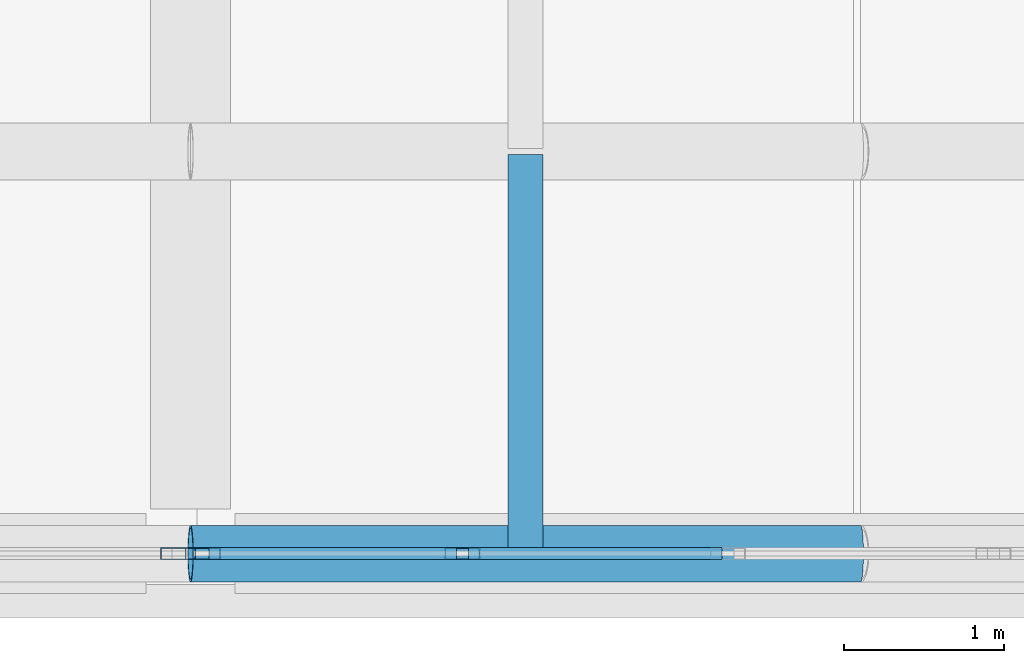
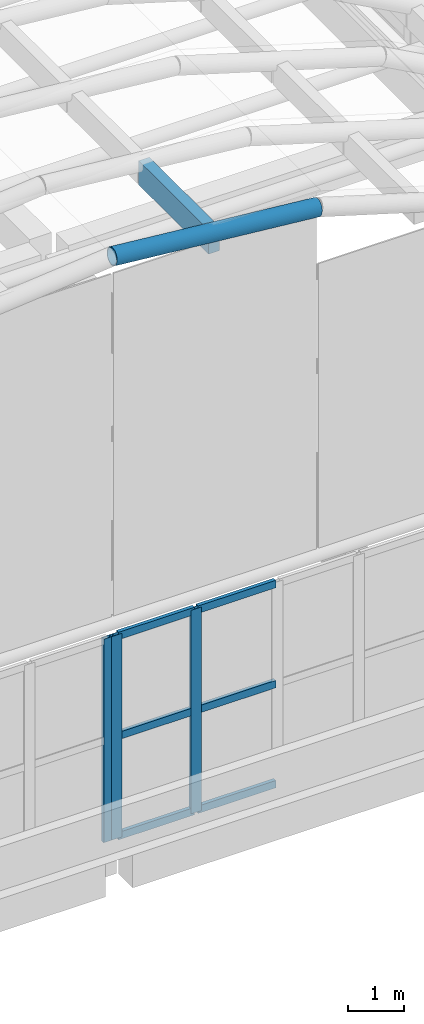
# One storey, part 7 of 26: 10 members, 1 beam, 2 elements without a shape of their own.
"""IFC4 building model written with IfcOpenShell, lengths in metres."""

import ifcopenshell
import ifcopenshell.guid

model = None  # the IFC model being written
_history = None  # IfcOwnerHistory: only IFC2X3 demands one
_inside = {}  # id of a spatial element -> (the spatial element, [elements in it])
_under = {}  # id of a project, library or spatial element -> (it, [spatial elements below it])
_declared = {}  # id of a project -> (the project, [libraries it declares])
_typed = {}  # id of a type object -> (the type object, [elements of that type])
_made_of = {}  # id of a material, layer set ... -> (it, [elements and type objects made of it])


def new_model(schema):
    """Start an empty IFC model of exactly this schema.

    Asked for "IFC4X3", IfcOpenShell would pick the latest addendum, in which some entities
    have other attributes; the version numbers below select the first issue.
    IFC2X3 requires an IfcOwnerHistory on every rooted entity: one is made here for all.
    """
    global model, _history
    if schema == "IFC4X3":
        model = ifcopenshell.file(schema_version=(4, 3, 0, 0))
    else:
        model = ifcopenshell.file(schema=schema)
    _inside.clear()
    _under.clear()
    _declared.clear()
    _typed.clear()
    _made_of.clear()
    _history = None
    if model.schema == "IFC2X3":
        org = make("IfcOrganization", Name="unknown")
        user = make(
            "IfcPersonAndOrganization",
            ThePerson=make("IfcPerson", FamilyName="unknown"),
            TheOrganization=org,
        )
        app = make(
            "IfcApplication",
            ApplicationDeveloper=org,
            Version="unknown",
            ApplicationFullName="unknown",
            ApplicationIdentifier="unknown",
        )
        _history = make(
            "IfcOwnerHistory",
            OwningUser=user,
            OwningApplication=app,
            ChangeAction="ADDED",
            CreationDate=0,
        )
    return model


def make(cls, **values):
    """One entity of the class cls with the attributes given. An attribute that is None is left unset."""
    return model.create_entity(
        cls, **{name: value for name, value in values.items() if value is not None}
    )


def rooted(cls, **values):
    """An entity with a GlobalId (a new one), such as an element, a storey or a relation."""
    return make(cls, GlobalId=ifcopenshell.guid.new(), OwnerHistory=_history, **values)


def si_unit(unit_type, name, prefix=None):
    """IfcSIUnit, for example si_unit("LENGTHUNIT", "METRE", prefix="MILLI")."""
    return make("IfcSIUnit", UnitType=unit_type, Prefix=prefix, Name=name)


def assignment(units):
    """IfcUnitAssignment: the units of a project."""
    return None if units is None else make("IfcUnitAssignment", Units=units)


def point(xyz):
    """IfcCartesianPoint."""
    return None if xyz is None else make("IfcCartesianPoint", Coordinates=xyz)


def direction(xyz):
    """IfcDirection."""
    return None if xyz is None else make("IfcDirection", DirectionRatios=xyz)


def frame(location, z_axis=None, x_axis=None):
    """IfcAxis2Placement3D, a coordinate frame: its origin and axes. An axis left out is left unset."""
    return make(
        "IfcAxis2Placement3D",
        Location=point(location),
        Axis=direction(z_axis),
        RefDirection=direction(x_axis),
    )


def frame_2d(location, x_axis=None):
    """IfcAxis2Placement2D, a coordinate frame in the plane: its origin and x axis."""
    return make(
        "IfcAxis2Placement2D", Location=point(location), RefDirection=direction(x_axis)
    )


def origin():
    """The frame at (0, 0, 0) with its axes left unset."""
    return frame((0.0, 0.0, 0.0))


def origin_2d():
    """The frame at (0, 0) in the plane with its x axis left unset."""
    return frame_2d((0.0, 0.0))


def place(relative_to, where):
    """IfcLocalPlacement: puts the frame where relative to a parent placement (None: the world)."""
    return make(
        "IfcLocalPlacement", PlacementRelTo=relative_to, RelativePlacement=where
    )


def context(
    kind, dimensions, precision=None, world=None, true_north=None, identifier=None
):
    """IfcGeometricRepresentationContext, for example the 3D "Model" context."""
    return make(
        "IfcGeometricRepresentationContext",
        ContextIdentifier=identifier,
        ContextType=kind,
        CoordinateSpaceDimension=dimensions,
        Precision=precision,
        WorldCoordinateSystem=world,
        TrueNorth=true_north,
    )


def subcontext(parent, identifier, kind, view, scale=None):
    """IfcGeometricRepresentationSubContext, for example "Body" below "Model"."""
    return make(
        "IfcGeometricRepresentationSubContext",
        ContextIdentifier=identifier,
        ContextType=kind,
        ParentContext=parent,
        TargetScale=scale,
        TargetView=view,
    )


def project(units=None, contexts=None):
    """IfcProject with its units and contexts."""
    return rooted(
        "IfcProject",
        Name="project",
        RepresentationContexts=contexts,
        UnitsInContext=assignment(units),
    )


def spatial(cls, under=None, at=None, **own):
    """A site, building, storey or space (cls), placed at a placement, below another one or the project."""
    s = rooted(cls, ObjectPlacement=at, **own)
    if under is not None:
        _under.setdefault(under.id(), (under, []))[1].append(s)
    return s


def profile(cls, at=None, kind="AREA", **sizes):
    """A parametric profile (cls). Its sizes go by their IFC names, for example OverallWidth=200.0."""
    return make(cls, ProfileType=kind, Position=at, **sizes)


def rectangle(**sizes):
    """IfcRectangleProfileDef."""
    return profile("IfcRectangleProfileDef", **sizes)


def hollow_rectangle(**sizes):
    """IfcRectangleHollowProfileDef."""
    return profile("IfcRectangleHollowProfileDef", **sizes)


def hollow_circle(**sizes):
    """IfcCircleHollowProfileDef."""
    return profile("IfcCircleHollowProfileDef", **sizes)


def extrude(swept, where, along, depth):
    """IfcExtrudedAreaSolid: the profile swept, set in the frame where, extruded along a direction by depth."""
    return make(
        "IfcExtrudedAreaSolid",
        SweptArea=swept,
        Position=where,
        ExtrudedDirection=direction(along),
        Depth=depth,
    )


def shape(context_of_items, identifier, shape_type, items):
    """IfcShapeRepresentation: the items that make up one representation, for example the "Body"."""
    return make(
        "IfcShapeRepresentation",
        ContextOfItems=context_of_items,
        RepresentationIdentifier=identifier,
        RepresentationType=shape_type,
        Items=items,
    )


def material(Name=None, Category=None):
    """IfcMaterial."""
    return make("IfcMaterial", Name=Name, Category=Category)


def layer(
    of_material, thickness, ventilated=None, Name=None, Category=None, Priority=None
):
    """IfcMaterialLayer: one layer of a wall or slab, of a material (None: an air gap)."""
    return make(
        "IfcMaterialLayer",
        Material=of_material,
        LayerThickness=thickness,
        IsVentilated=ventilated,
        Name=Name,
        Category=Category,
        Priority=Priority,
    )


def layer_set(layers, Name=None):
    """IfcMaterialLayerSet."""
    return make("IfcMaterialLayerSet", MaterialLayers=layers, LayerSetName=Name)


def material_profile(
    of_material, cross_section, Name=None, Category=None, Priority=None
):
    """IfcMaterialProfile: a cross section and its material."""
    return make(
        "IfcMaterialProfile",
        Name=Name,
        Material=of_material,
        Profile=cross_section,
        Priority=Priority,
        Category=Category,
    )


def profile_set(profiles, Name=None, composite=None):
    """IfcMaterialProfileSet."""
    return make(
        "IfcMaterialProfileSet",
        Name=Name,
        MaterialProfiles=profiles,
        CompositeProfile=composite,
    )


def made_of(thing, what):
    """Note that an element or type object is made of a material, layer set ...; save() writes the relation."""
    if what is not None:
        _made_of.setdefault(what.id(), (what, []))[1].append(thing)
    return thing


def type_object(cls, material=None, **own):
    """A type object (cls), such as IfcWallType, which elements share."""
    return made_of(rooted(cls, **own), material)


def element(
    cls,
    number,
    at=None,
    inside=None,
    cuts=None,
    type_object=None,
    material=None,
    context=None,
    identifier="Body",
    shape_type=None,
    held_by="IfcProductDefinitionShape",
    body=None,
    shapes=None,
    **own,
):
    """One element of the class cls, such as IfcWall. Its Tag is "e" and its number.

    at: its placement. inside: the storey or other place that contains it. cuts: it is an
    opening in that element (IfcRelVoidsElement). A single representation is given by context,
    identifier, shape_type and body (its items); several are given by shapes. held_by: the class
    of the entity that holds the representations. save() writes the other relations.
    """
    e = rooted(cls, Tag="e%d" % number, ObjectPlacement=at, **own)
    if body is not None:
        shapes = [shape(context, identifier, shape_type, body)]
    if shapes is not None:
        e.Representation = make(held_by, Representations=shapes)
    if inside is not None:
        _inside.setdefault(inside.id(), (inside, []))[1].append(e)
    if cuts is not None:
        rooted(
            "IfcRelVoidsElement", RelatingBuildingElement=cuts, RelatedOpeningElement=e
        )
    if type_object is not None:
        _typed.setdefault(type_object.id(), (type_object, []))[1].append(e)
    return made_of(e, material)


def aggregate(whole, parts):
    """IfcRelAggregates: a whole, such as a stair, and the parts it consists of."""
    return rooted("IfcRelAggregates", RelatingObject=whole, RelatedObjects=parts)


def save(model, path):
    """Write the relations noted so far, then the file.

    IfcRelAggregates (storeys below a building ...), IfcRelContainedInSpatialStructure (elements
    in a storey), IfcRelDefinesByType, IfcRelAssociatesMaterial and IfcRelDeclares: one each for
    every whole, place, type object, material and project.
    """
    for whole, parts in _under.values():
        aggregate(whole, parts)
    for where, things in _inside.values():
        rooted(
            "IfcRelContainedInSpatialStructure",
            RelatedElements=things,
            RelatingStructure=where,
        )
    for kind, things in _typed.values():
        rooted("IfcRelDefinesByType", RelatedObjects=things, RelatingType=kind)
    for what, things in _made_of.values():
        rooted("IfcRelAssociatesMaterial", RelatedObjects=things, RelatingMaterial=what)
    for by, libraries in _declared.values():
        rooted("IfcRelDeclares", RelatingContext=by, RelatedDefinitions=libraries)
    model.write(path)


model = new_model("IFC4")

# Units and contexts
model_context = context("Model", 3, precision=1e-05, world=origin(), true_north=direction((0.0, 1.0)))
body_context = subcontext(model_context, "Body", "Model", "MODEL_VIEW")
ifc_project = project(units=[si_unit("LENGTHUNIT", "METRE"), si_unit("AREAUNIT", "SQUARE_METRE"), si_unit("VOLUMEUNIT", "CUBIC_METRE"), si_unit("PLANEANGLEUNIT", "RADIAN"), si_unit("MASSUNIT", "GRAM", prefix="KILO")], contexts=[model_context])

# Site, building, storey
site_placement = place(None, origin())
site = spatial("IfcSite", under=ifc_project, at=site_placement, CompositionType="ELEMENT")
building_placement = place(site_placement, origin())
building = spatial("IfcBuilding", under=site, at=building_placement, Name="Xazarin Passage Department Store", CompositionType="ELEMENT")
storey_placement = place(building_placement, frame((0.0, 0.0, 36.89990234375)))
storey = spatial("IfcBuildingStorey", under=building, at=storey_placement, Name="RF", CompositionType="ELEMENT", Elevation=36.89990234375)

# Curtain wall, member
ifc_material_1 = material(Name="Bronze anodised aluminium", Category="aluminium")
ifc_layer = layer(ifc_material_1, 0.199951171875)
ifc_layer_set = layer_set([ifc_layer], Name="Bronze anodised aluminium")
curtain_wall_type = type_object("IfcCurtainWallType", Name="ARC-CW-VIT2", PredefinedType="NOTDEFINED", material=ifc_layer_set)
curtain_wall_1_placement = place(storey_placement, origin())
curtain_wall_1 = element("IfcCurtainWall", 1, at=curtain_wall_1_placement, inside=storey, type_object=curtain_wall_type, Name="RF V1 Atrium Lantern Curtain Wall 09", PredefinedType="NOTDEFINED")
ifc_material_profile_1 = material_profile(ifc_material_1, hollow_rectangle(XDim=0.074951171875, YDim=0.219970703125, WallThickness=0.0048828125, at=origin_2d()), Name="ALU 75x220")
ifc_profile_set_1 = profile_set([ifc_material_profile_1], Name="Bronze anodised aluminium")
member_type_1 = type_object("IfcMemberType", Name="ARC-CWM-75x220", PredefinedType="MULLION", material=ifc_profile_set_1)
member_1_placement = place(storey_placement, frame((16.722412109375, 76.39990234375, 0.0), z_axis=(0.0, 0.0, 1.0), x_axis=(0.0, 1.0, 0.0)))
member_1 = element("IfcMember", 2, at=member_1_placement, type_object=member_type_1, Name="CW2 mullion 6", PredefinedType="MULLION", context=body_context, shape_type="SweptSolid", body=[
    extrude(hollow_rectangle(XDim=0.074951171875, YDim=0.219970703125, WallThickness=0.0048828125, at=origin_2d()), origin(), (0.0, 0.0, 1.0), 4.404296875),
])
aggregate(curtain_wall_1, [member_1])

# Curtain wall, members
curtain_wall_2_placement = place(storey_placement, origin())
curtain_wall_2 = element("IfcCurtainWall", 3, at=curtain_wall_2_placement, inside=storey, type_object=curtain_wall_type, Name="RF V1 Atrium Lantern Curtain Wall 11", PredefinedType="NOTDEFINED")
member_2_placement = place(storey_placement, frame((16.87744140625, 76.39990234375, 0.0), z_axis=(0.0, 0.0, 1.0), x_axis=(0.0, 1.0, 0.0)))
member_2 = element("IfcMember", 4, at=member_2_placement, type_object=member_type_1, Name="CW2 mullion 1", PredefinedType="MULLION", context=body_context, shape_type="SweptSolid", body=[
    extrude(hollow_rectangle(XDim=0.074951171875, YDim=0.219970703125, WallThickness=0.0048828125, at=origin_2d()), origin(), (0.0, 0.0, 1.0), 4.404296875),
])
member_3_placement = place(storey_placement, frame((18.50390625, 76.39990234375, 0.0), z_axis=(0.0, 0.0, 1.0), x_axis=(0.0, 1.0, 0.0)))
member_3 = element("IfcMember", 5, at=member_3_placement, type_object=member_type_1, Name="CW2 mullion 2", PredefinedType="MULLION", context=body_context, shape_type="SweptSolid", body=[
    extrude(hollow_rectangle(XDim=0.074951171875, YDim=0.219970703125, WallThickness=0.0048828125, at=origin_2d()), origin(), (0.0, 0.0, 1.0), 4.404296875),
])
ifc_material_profile_2 = material_profile(ifc_material_1, hollow_rectangle(XDim=0.074951171875, YDim=0.159912109375, WallThickness=0.00439453125, at=origin_2d()), Name="ALU 75x160")
ifc_profile_set_2 = profile_set([ifc_material_profile_2], Name="Bronze anodised aluminium")
member_type_2 = type_object("IfcMemberType", Name="ARC-CWT-75x160", PredefinedType="USERDEFINED", material=ifc_profile_set_2)
member_4_placement = place(storey_placement, frame((16.9150390625, 76.39990234375, 0.03759765625), z_axis=(1.0, 0.0, 0.0), x_axis=(0.0, 1.0, 0.0)))
member_4 = element("IfcMember", 6, at=member_4_placement, type_object=member_type_2, Name="CW2 transom 1.1", ObjectType="TRANSOM", PredefinedType="USERDEFINED", context=body_context, shape_type="SweptSolid", body=[
    extrude(hollow_rectangle(XDim=0.074951171875, YDim=0.159912109375, WallThickness=0.00439453125, at=origin_2d()), origin(), (0.0, 0.0, 1.0), 1.551513671875),
])
member_5_placement = place(storey_placement, frame((16.9150390625, 76.39990234375, 2.2021484375), z_axis=(1.0, 0.0, 0.0), x_axis=(0.0, 1.0, 0.0)))
member_5 = element("IfcMember", 7, at=member_5_placement, type_object=member_type_2, Name="CW2 transom 1.2", ObjectType="TRANSOM", PredefinedType="USERDEFINED", context=body_context, shape_type="SweptSolid", body=[
    extrude(hollow_rectangle(XDim=0.074951171875, YDim=0.159912109375, WallThickness=0.00439453125, at=origin_2d()), origin(), (0.0, 0.0, 1.0), 1.551513671875),
])
member_6_placement = place(storey_placement, frame((16.9150390625, 76.39990234375, 4.36669921875), z_axis=(1.0, 0.0, 0.0), x_axis=(0.0, 1.0, 0.0)))
member_6 = element("IfcMember", 8, at=member_6_placement, type_object=member_type_2, Name="CW2 transom 1.3", ObjectType="TRANSOM", PredefinedType="USERDEFINED", context=body_context, shape_type="SweptSolid", body=[
    extrude(hollow_rectangle(XDim=0.074951171875, YDim=0.159912109375, WallThickness=0.00439453125, at=origin_2d()), origin(), (0.0, 0.0, 1.0), 1.551513671875),
])
member_7_placement = place(storey_placement, frame((18.54150390625, 76.39990234375, 0.03759765625), z_axis=(1.0, 0.0, 0.0), x_axis=(0.0, 1.0, 0.0)))
member_7 = element("IfcMember", 9, at=member_7_placement, type_object=member_type_2, Name="CW2 transom 2.1", ObjectType="TRANSOM", PredefinedType="USERDEFINED", context=body_context, shape_type="SweptSolid", body=[
    extrude(hollow_rectangle(XDim=0.074951171875, YDim=0.159912109375, WallThickness=0.00439453125, at=origin_2d()), origin(), (0.0, 0.0, 1.0), 1.589111328125),
])
member_8_placement = place(storey_placement, frame((18.54150390625, 76.39990234375, 2.2021484375), z_axis=(1.0, 0.0, 0.0), x_axis=(0.0, 1.0, 0.0)))
member_8 = element("IfcMember", 10, at=member_8_placement, type_object=member_type_2, Name="CW2 transom 2.2", ObjectType="TRANSOM", PredefinedType="USERDEFINED", context=body_context, shape_type="SweptSolid", body=[
    extrude(hollow_rectangle(XDim=0.074951171875, YDim=0.159912109375, WallThickness=0.00439453125, at=origin_2d()), origin(), (0.0, 0.0, 1.0), 1.589111328125),
])
member_9_placement = place(storey_placement, frame((18.54150390625, 76.39990234375, 4.36669921875), z_axis=(1.0, 0.0, 0.0), x_axis=(0.0, 1.0, 0.0)))
member_9 = element("IfcMember", 11, at=member_9_placement, type_object=member_type_2, Name="CW2 transom 2.3", ObjectType="TRANSOM", PredefinedType="USERDEFINED", context=body_context, shape_type="SweptSolid", body=[
    extrude(hollow_rectangle(XDim=0.074951171875, YDim=0.159912109375, WallThickness=0.00439453125, at=origin_2d()), origin(), (0.0, 0.0, 1.0), 1.589111328125),
])
aggregate(curtain_wall_2, [member_2, member_3, member_4, member_5, member_6, member_7, member_8, member_9])

# Beam
ifc_material_2 = material(Name="Steel S355", Category="steel")
ifc_material_profile_3 = material_profile(ifc_material_2, hollow_circle(Radius=0.177734375, WallThickness=0.01611328125, at=origin_2d()), Name="CHS 355.6x16")
ifc_profile_set_3 = profile_set([ifc_material_profile_3], Name="Steel S355")
beam_type = type_object("IfcBeamType", Name="STR-BM-AR355", PredefinedType="BEAM", material=ifc_profile_set_3)
beam_placement = place(storey_placement, frame((16.800048828125, 76.39990234375, 12.60009765625), z_axis=(0.995387696044, 0.0, -0.095934011512), x_axis=(0.0, 1.0, 0.0)))
element("IfcBeam", 12, at=beam_placement, inside=storey, type_object=beam_type, Name="V1V Primary Arch Rib 1.5", PredefinedType="BEAM", context=body_context, shape_type="SweptSolid", body=[
    extrude(hollow_circle(Radius=0.177734375, WallThickness=0.01611328125, at=origin_2d()), origin(), (0.0, 0.0, 1.0), 4.219482421875),
])

# Member
ifc_material_3 = material(Name="Glulam GL28h", Category="wood")
ifc_material_profile_4 = material_profile(ifc_material_3, rectangle(XDim=0.219970703125, YDim=0.52001953125, at=origin_2d()), Name="GL28h 220x520")
ifc_profile_set_4 = profile_set([ifc_material_profile_4], Name="Glulam GL28h")
member_type_3 = type_object("IfcMemberType", Name="STR-MEM-GL520", PredefinedType="PURLIN", material=ifc_profile_set_4)
member_10_placement = place(storey_placement, frame((18.89990234375, 76.419921875, 12.195556640625), z_axis=(0.0, 1.0, 0.0), x_axis=(-1.0, 0.0, 0.0)))
element("IfcMember", 13, at=member_10_placement, inside=storey, type_object=member_type_3, Name="V1V Glulam Gridshell Purlin 1.5", PredefinedType="PURLIN", context=body_context, shape_type="SweptSolid", body=[
    extrude(rectangle(XDim=0.219970703125, YDim=0.52001953125, at=origin_2d()), origin(), (0.0, 0.0, 1.0), 2.47998046875),
])

save(model, "model.ifc")
